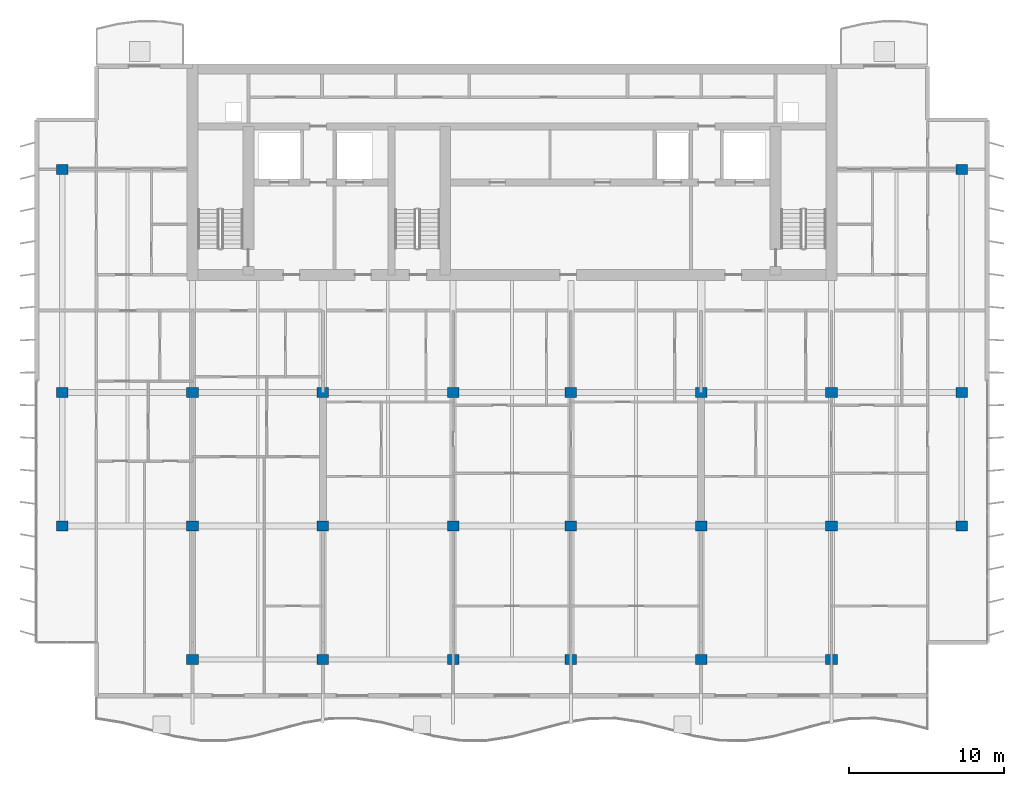
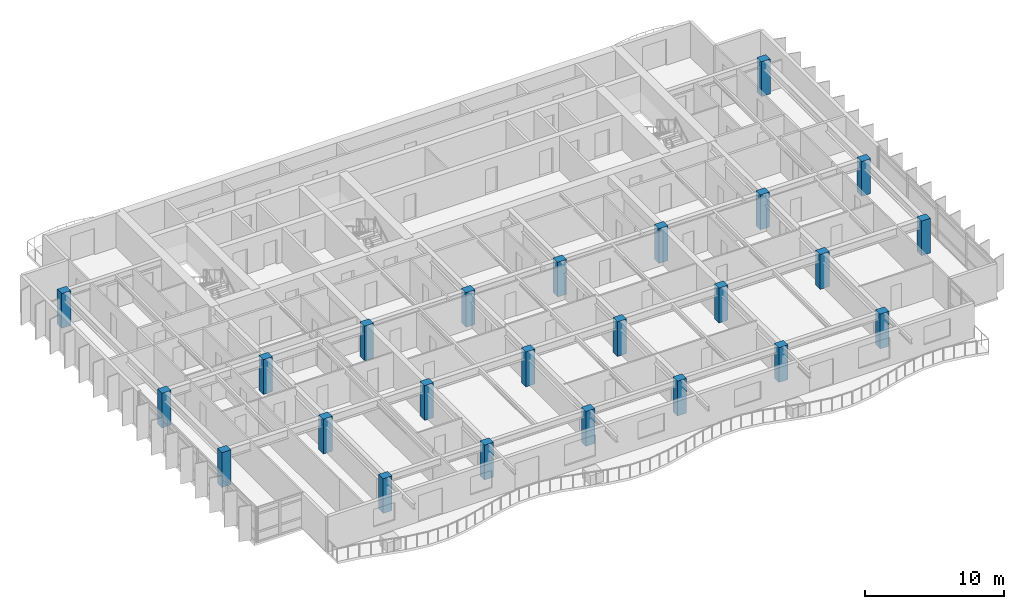
# One storey, part 1 of 16: 24 columns.
"""IFC4 building model written with IfcOpenShell, lengths in metres."""

from ifc_helpers import new_model, si_unit, direction, frame, origin, origin_2d, place, context, subcontext, project, spatial, rectangle, extrude, material, material_profile, profile_set, type_object, element, save


model = new_model("IFC4")

# Units and contexts
model_context = context("Model", 3, precision=1e-05, world=origin(), true_north=direction((0.0, 1.0)))
body_context = subcontext(model_context, "Body", "Model", "MODEL_VIEW")
ifc_project = project(units=[si_unit("LENGTHUNIT", "METRE"), si_unit("AREAUNIT", "SQUARE_METRE"), si_unit("VOLUMEUNIT", "CUBIC_METRE"), si_unit("PLANEANGLEUNIT", "RADIAN"), si_unit("MASSUNIT", "GRAM", prefix="KILO")], contexts=[model_context])

# Site, building, storey
site_placement = place(None, origin())
site = spatial("IfcSite", under=ifc_project, at=site_placement, CompositionType="ELEMENT")
building_placement = place(site_placement, origin())
building = spatial("IfcBuilding", under=site, at=building_placement, Name="Caelmar Bay Residences", CompositionType="ELEMENT")
storey_placement = place(building_placement, frame((0.0, 0.0, 252.89990234375)))
storey = spatial("IfcBuildingStorey", under=building, at=storey_placement, Name="L71", CompositionType="ELEMENT", Elevation=252.89990234375)

# Columns
ifc_material = material(Name="Concrete f'c 55 MPa (8,000 psi)", Category="concrete")
ifc_material_profile = material_profile(ifc_material, rectangle(XDim=0.75, YDim=0.64990234375, at=origin_2d()), Name="RC-COL-750X650")
ifc_profile_set = profile_set([ifc_material_profile], Name="Concrete f'c 55 MPa (8,000 psi)")
column_type = type_object("IfcColumnType", Name="COL-RC-750X650", PredefinedType="COLUMN", material=ifc_profile_set)
for number, where, z_axis, x_axis, name in (
    (1, (18.300048828125, 12.199951171875, 0.0), (0.0, 0.0, 1.0), (1.0, 0.0, 0.0), "L71 Column (18.30,12.20)"),
    (2, (26.699951171875, 12.199951171875, 0.0), (0.0, 0.0, 1.0), (1.0, 0.0, 0.0), "L71 Column (26.70,12.20)"),
    (3, (35.10009765625, 12.199951171875, 0.0), (0.0, 0.0, 1.0), (1.0, 0.0, 0.0), "L71 Column (35.10,12.20)"),
    (4, (42.699951171875, 12.199951171875, 0.0), (0.0, 0.0, 1.0), (1.0, 0.0, 0.0), "L71 Column (42.70,12.20)"),
    (5, (51.10009765625, 12.199951171875, 0.0), (0.0, 0.0, 1.0), (1.0, 0.0, 0.0), "L71 Column (51.10,12.20)"),
    (6, (59.5, 12.199951171875, 0.0), (0.0, 0.0, 1.0), (1.0, 0.0, 0.0), "L71 Column (59.50,12.20)"),
    (7, (9.89990234375, 20.800048828125, 0.0), (0.0, 0.0, 1.0), (1.0, 0.0, 0.0), "L71 Column (9.90,20.80)"),
    (8, (18.300048828125, 20.800048828125, 0.0), (0.0, 0.0, 1.0), (1.0, 0.0, 0.0), "L71 Column (18.30,20.80)"),
    (9, (26.699951171875, 20.800048828125, 0.0), (0.0, 0.0, 1.0), (1.0, 0.0, 0.0), "L71 Column (26.70,20.80)"),
    (10, (35.10009765625, 20.800048828125, 0.0), (0.0, 0.0, 1.0), (1.0, 0.0, 0.0), "L71 Column (35.10,20.80)"),
    (11, (42.699951171875, 20.800048828125, 0.0), (0.0, 0.0, 1.0), (1.0, 0.0, 0.0), "L71 Column (42.70,20.80)"),
    (12, (51.10009765625, 20.800048828125, 0.0), (0.0, 0.0, 1.0), (1.0, 0.0, 0.0), "L71 Column (51.10,20.80)"),
    (13, (59.5, 20.800048828125, 0.0), (0.0, 0.0, 1.0), (1.0, 0.0, 0.0), "L71 Column (59.50,20.80)"),
    (14, (67.89990234375, 20.800048828125, 0.0), (0.0, 0.0, 1.0), (1.0, 0.0, 0.0), "L71 Column (67.90,20.80)"),
    (15, (9.89990234375, 29.39990234375, 0.0), (0.0, 0.0, 1.0), (1.0, 0.0, 0.0), "L71 Column (9.90,29.40)"),
    (16, (18.300048828125, 29.39990234375, 0.0), (0.0, 0.0, 1.0), (1.0, 0.0, 0.0), "L71 Column (18.30,29.40)"),
    (17, (26.699951171875, 29.39990234375, 0.0), (0.0, 0.0, 1.0), (1.0, 0.0, 0.0), "L71 Column (26.70,29.40)"),
    (18, (35.10009765625, 29.39990234375, 0.0), (0.0, 0.0, 1.0), (1.0, 0.0, 0.0), "L71 Column (35.10,29.40)"),
    (19, (42.699951171875, 29.39990234375, 0.0), (0.0, 0.0, 1.0), (1.0, 0.0, 0.0), "L71 Column (42.70,29.40)"),
    (20, (51.10009765625, 29.39990234375, 0.0), (0.0, 0.0, 1.0), (1.0, 0.0, 0.0), "L71 Column (51.10,29.40)"),
    (21, (59.5, 29.39990234375, 0.0), (0.0, 0.0, 1.0), (1.0, 0.0, 0.0), "L71 Column (59.50,29.40)"),
    (22, (67.89990234375, 29.39990234375, 0.0), (0.0, 0.0, 1.0), (1.0, 0.0, 0.0), "L71 Column (67.90,29.40)"),
    (23, (9.89990234375, 43.800048828125, 0.0), (0.0, 0.0, 1.0), (1.0, 0.0, 0.0), "L71 Column (9.90,43.80)"),
    (24, (67.89990234375, 43.800048828125, 0.0), (0.0, 0.0, 1.0), (1.0, 0.0, 0.0), "L71 Column (67.90,43.80)"),
):
    element("IfcColumn", number, at=place(storey_placement, frame(where, z_axis=z_axis, x_axis=x_axis)), inside=storey, type_object=column_type, Name=name, PredefinedType="COLUMN", context=body_context, shape_type="SweptSolid", body=[
        extrude(rectangle(XDim=0.75, YDim=0.64990234375, at=origin_2d()), origin(), (0.0, 0.0, 1.0), 3.050048828125),
    ])

save(model, "model.ifc")
